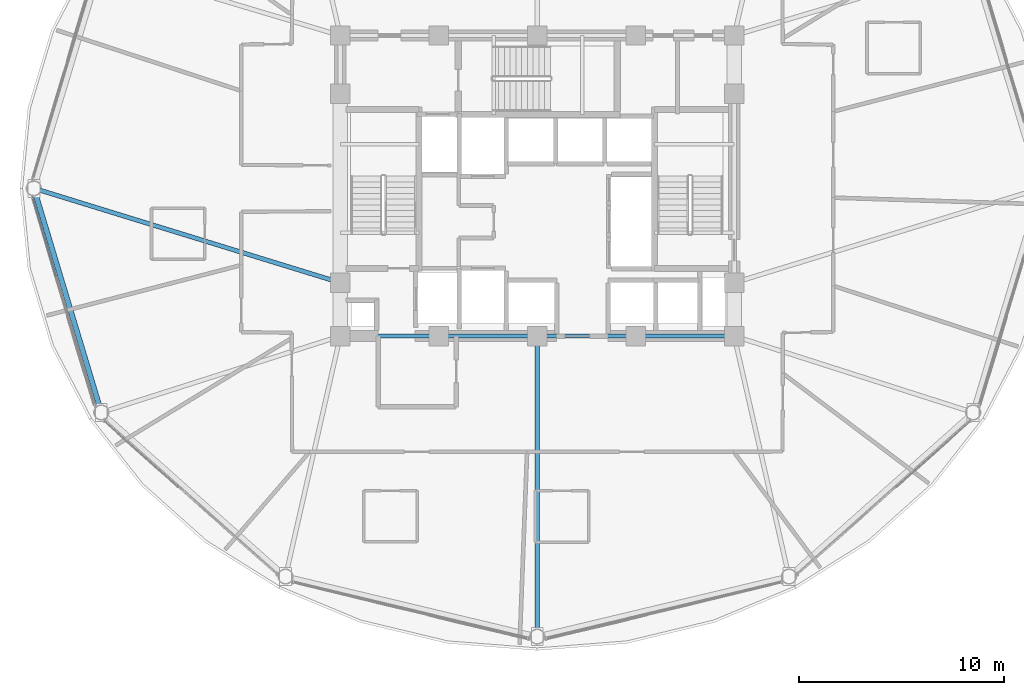
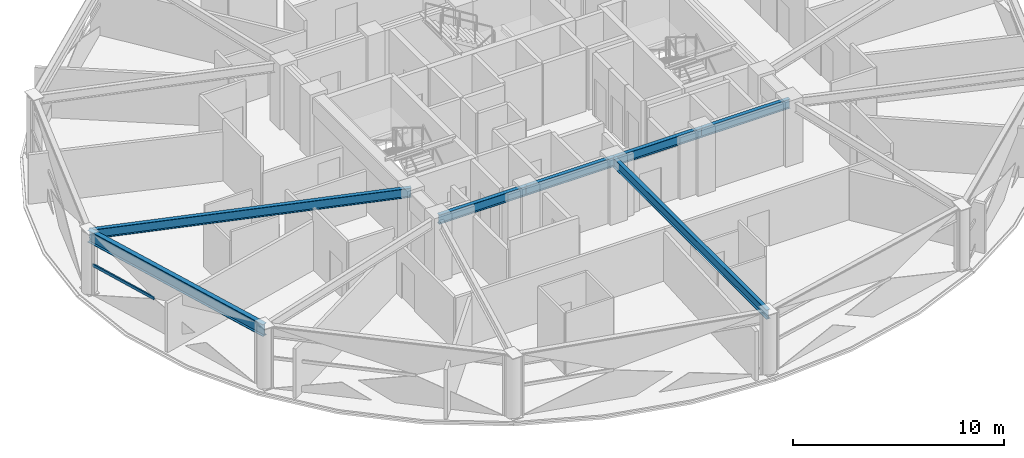
# One storey, part 6 of 29: 7 beams, 1 member, 1 element without a shape of its own.
"""IFC4 building model written with IfcOpenShell, lengths in metres."""

import ifcopenshell
import ifcopenshell.guid

model = None  # the IFC model being written
_history = None  # IfcOwnerHistory: only IFC2X3 demands one
_inside = {}  # id of a spatial element -> (the spatial element, [elements in it])
_under = {}  # id of a project, library or spatial element -> (it, [spatial elements below it])
_declared = {}  # id of a project -> (the project, [libraries it declares])
_typed = {}  # id of a type object -> (the type object, [elements of that type])
_made_of = {}  # id of a material, layer set ... -> (it, [elements and type objects made of it])


def new_model(schema):
    """Start an empty IFC model of exactly this schema.

    Asked for "IFC4X3", IfcOpenShell would pick the latest addendum, in which some entities
    have other attributes; the version numbers below select the first issue.
    IFC2X3 requires an IfcOwnerHistory on every rooted entity: one is made here for all.
    """
    global model, _history
    if schema == "IFC4X3":
        model = ifcopenshell.file(schema_version=(4, 3, 0, 0))
    else:
        model = ifcopenshell.file(schema=schema)
    _inside.clear()
    _under.clear()
    _declared.clear()
    _typed.clear()
    _made_of.clear()
    _history = None
    if model.schema == "IFC2X3":
        org = make("IfcOrganization", Name="unknown")
        user = make(
            "IfcPersonAndOrganization",
            ThePerson=make("IfcPerson", FamilyName="unknown"),
            TheOrganization=org,
        )
        app = make(
            "IfcApplication",
            ApplicationDeveloper=org,
            Version="unknown",
            ApplicationFullName="unknown",
            ApplicationIdentifier="unknown",
        )
        _history = make(
            "IfcOwnerHistory",
            OwningUser=user,
            OwningApplication=app,
            ChangeAction="ADDED",
            CreationDate=0,
        )
    return model


def make(cls, **values):
    """One entity of the class cls with the attributes given. An attribute that is None is left unset."""
    return model.create_entity(
        cls, **{name: value for name, value in values.items() if value is not None}
    )


def rooted(cls, **values):
    """An entity with a GlobalId (a new one), such as an element, a storey or a relation."""
    return make(cls, GlobalId=ifcopenshell.guid.new(), OwnerHistory=_history, **values)


def si_unit(unit_type, name, prefix=None):
    """IfcSIUnit, for example si_unit("LENGTHUNIT", "METRE", prefix="MILLI")."""
    return make("IfcSIUnit", UnitType=unit_type, Prefix=prefix, Name=name)


def assignment(units):
    """IfcUnitAssignment: the units of a project."""
    return None if units is None else make("IfcUnitAssignment", Units=units)


def point(xyz):
    """IfcCartesianPoint."""
    return None if xyz is None else make("IfcCartesianPoint", Coordinates=xyz)


def direction(xyz):
    """IfcDirection."""
    return None if xyz is None else make("IfcDirection", DirectionRatios=xyz)


def frame(location, z_axis=None, x_axis=None):
    """IfcAxis2Placement3D, a coordinate frame: its origin and axes. An axis left out is left unset."""
    return make(
        "IfcAxis2Placement3D",
        Location=point(location),
        Axis=direction(z_axis),
        RefDirection=direction(x_axis),
    )


def frame_2d(location, x_axis=None):
    """IfcAxis2Placement2D, a coordinate frame in the plane: its origin and x axis."""
    return make(
        "IfcAxis2Placement2D", Location=point(location), RefDirection=direction(x_axis)
    )


def origin():
    """The frame at (0, 0, 0) with its axes left unset."""
    return frame((0.0, 0.0, 0.0))


def origin_2d():
    """The frame at (0, 0) in the plane with its x axis left unset."""
    return frame_2d((0.0, 0.0))


def place(relative_to, where):
    """IfcLocalPlacement: puts the frame where relative to a parent placement (None: the world)."""
    return make(
        "IfcLocalPlacement", PlacementRelTo=relative_to, RelativePlacement=where
    )


def context(
    kind, dimensions, precision=None, world=None, true_north=None, identifier=None
):
    """IfcGeometricRepresentationContext, for example the 3D "Model" context."""
    return make(
        "IfcGeometricRepresentationContext",
        ContextIdentifier=identifier,
        ContextType=kind,
        CoordinateSpaceDimension=dimensions,
        Precision=precision,
        WorldCoordinateSystem=world,
        TrueNorth=true_north,
    )


def subcontext(parent, identifier, kind, view, scale=None):
    """IfcGeometricRepresentationSubContext, for example "Body" below "Model"."""
    return make(
        "IfcGeometricRepresentationSubContext",
        ContextIdentifier=identifier,
        ContextType=kind,
        ParentContext=parent,
        TargetScale=scale,
        TargetView=view,
    )


def project(units=None, contexts=None):
    """IfcProject with its units and contexts."""
    return rooted(
        "IfcProject",
        Name="project",
        RepresentationContexts=contexts,
        UnitsInContext=assignment(units),
    )


def spatial(cls, under=None, at=None, **own):
    """A site, building, storey or space (cls), placed at a placement, below another one or the project."""
    s = rooted(cls, ObjectPlacement=at, **own)
    if under is not None:
        _under.setdefault(under.id(), (under, []))[1].append(s)
    return s


def profile(cls, at=None, kind="AREA", **sizes):
    """A parametric profile (cls). Its sizes go by their IFC names, for example OverallWidth=200.0."""
    return make(cls, ProfileType=kind, Position=at, **sizes)


def hollow_rectangle(**sizes):
    """IfcRectangleHollowProfileDef."""
    return profile("IfcRectangleHollowProfileDef", **sizes)


def i_section(**sizes):
    """IfcIShapeProfileDef."""
    return profile("IfcIShapeProfileDef", **sizes)


def extrude(swept, where, along, depth):
    """IfcExtrudedAreaSolid: the profile swept, set in the frame where, extruded along a direction by depth."""
    return make(
        "IfcExtrudedAreaSolid",
        SweptArea=swept,
        Position=where,
        ExtrudedDirection=direction(along),
        Depth=depth,
    )


def shape(context_of_items, identifier, shape_type, items):
    """IfcShapeRepresentation: the items that make up one representation, for example the "Body"."""
    return make(
        "IfcShapeRepresentation",
        ContextOfItems=context_of_items,
        RepresentationIdentifier=identifier,
        RepresentationType=shape_type,
        Items=items,
    )


def material(Name=None, Category=None):
    """IfcMaterial."""
    return make("IfcMaterial", Name=Name, Category=Category)


def layer(
    of_material, thickness, ventilated=None, Name=None, Category=None, Priority=None
):
    """IfcMaterialLayer: one layer of a wall or slab, of a material (None: an air gap)."""
    return make(
        "IfcMaterialLayer",
        Material=of_material,
        LayerThickness=thickness,
        IsVentilated=ventilated,
        Name=Name,
        Category=Category,
        Priority=Priority,
    )


def layer_set(layers, Name=None):
    """IfcMaterialLayerSet."""
    return make("IfcMaterialLayerSet", MaterialLayers=layers, LayerSetName=Name)


def material_profile(
    of_material, cross_section, Name=None, Category=None, Priority=None
):
    """IfcMaterialProfile: a cross section and its material."""
    return make(
        "IfcMaterialProfile",
        Name=Name,
        Material=of_material,
        Profile=cross_section,
        Priority=Priority,
        Category=Category,
    )


def profile_set(profiles, Name=None, composite=None):
    """IfcMaterialProfileSet."""
    return make(
        "IfcMaterialProfileSet",
        Name=Name,
        MaterialProfiles=profiles,
        CompositeProfile=composite,
    )


def made_of(thing, what):
    """Note that an element or type object is made of a material, layer set ...; save() writes the relation."""
    if what is not None:
        _made_of.setdefault(what.id(), (what, []))[1].append(thing)
    return thing


def type_object(cls, material=None, **own):
    """A type object (cls), such as IfcWallType, which elements share."""
    return made_of(rooted(cls, **own), material)


def element(
    cls,
    number,
    at=None,
    inside=None,
    cuts=None,
    type_object=None,
    material=None,
    context=None,
    identifier="Body",
    shape_type=None,
    held_by="IfcProductDefinitionShape",
    body=None,
    shapes=None,
    **own,
):
    """One element of the class cls, such as IfcWall. Its Tag is "e" and its number.

    at: its placement. inside: the storey or other place that contains it. cuts: it is an
    opening in that element (IfcRelVoidsElement). A single representation is given by context,
    identifier, shape_type and body (its items); several are given by shapes. held_by: the class
    of the entity that holds the representations. save() writes the other relations.
    """
    e = rooted(cls, Tag="e%d" % number, ObjectPlacement=at, **own)
    if body is not None:
        shapes = [shape(context, identifier, shape_type, body)]
    if shapes is not None:
        e.Representation = make(held_by, Representations=shapes)
    if inside is not None:
        _inside.setdefault(inside.id(), (inside, []))[1].append(e)
    if cuts is not None:
        rooted(
            "IfcRelVoidsElement", RelatingBuildingElement=cuts, RelatedOpeningElement=e
        )
    if type_object is not None:
        _typed.setdefault(type_object.id(), (type_object, []))[1].append(e)
    return made_of(e, material)


def aggregate(whole, parts):
    """IfcRelAggregates: a whole, such as a stair, and the parts it consists of."""
    return rooted("IfcRelAggregates", RelatingObject=whole, RelatedObjects=parts)


def save(model, path):
    """Write the relations noted so far, then the file.

    IfcRelAggregates (storeys below a building ...), IfcRelContainedInSpatialStructure (elements
    in a storey), IfcRelDefinesByType, IfcRelAssociatesMaterial and IfcRelDeclares: one each for
    every whole, place, type object, material and project.
    """
    for whole, parts in _under.values():
        aggregate(whole, parts)
    for where, things in _inside.values():
        rooted(
            "IfcRelContainedInSpatialStructure",
            RelatedElements=things,
            RelatingStructure=where,
        )
    for kind, things in _typed.values():
        rooted("IfcRelDefinesByType", RelatedObjects=things, RelatingType=kind)
    for what, things in _made_of.values():
        rooted("IfcRelAssociatesMaterial", RelatedObjects=things, RelatingMaterial=what)
    for by, libraries in _declared.values():
        rooted("IfcRelDeclares", RelatingContext=by, RelatedDefinitions=libraries)
    model.write(path)


model = new_model("IFC4")

# Units and contexts
model_context = context("Model", 3, precision=1e-05, world=origin(), true_north=direction((0.0, 1.0)))
body_context = subcontext(model_context, "Body", "Model", "MODEL_VIEW")
ifc_project = project(units=[si_unit("LENGTHUNIT", "METRE"), si_unit("AREAUNIT", "SQUARE_METRE"), si_unit("VOLUMEUNIT", "CUBIC_METRE"), si_unit("PLANEANGLEUNIT", "RADIAN"), si_unit("MASSUNIT", "GRAM", prefix="KILO")], contexts=[model_context])

# Site, building, storey
site_placement = place(None, origin())
site = spatial("IfcSite", under=ifc_project, at=site_placement, CompositionType="ELEMENT")
building_placement = place(site_placement, origin())
building = spatial("IfcBuilding", under=site, at=building_placement, Name="Vantalir Tower", CompositionType="ELEMENT")
storey_placement = place(building_placement, frame((0.0, 0.0, 168.449951171875)))
storey = spatial("IfcBuildingStorey", under=building, at=storey_placement, Name="L42", CompositionType="ELEMENT", Elevation=168.449951171875)

# Beams
ifc_material_1 = material(Name="Steel S355", Category="steel")
ifc_material_profile_1 = material_profile(ifc_material_1, i_section(OverallWidth=0.2109375, OverallDepth=0.5390625, WebThickness=0.01171875, FlangeThickness=0.018798828125, at=origin_2d()), Name="Steel S355")
ifc_profile_set_1 = profile_set([ifc_material_profile_1], Name="Steel S355")
beam_type_1 = type_object("IfcBeamType", Name="BM-RB-533x210", PredefinedType="BEAM", material=ifc_profile_set_1)
for number, where, z_axis, x_axis, name in (
    (1, (21.89990234375, 17.800048828125, 3.301025390625), (1.0, 0.0, 0.0), (0.0, 1.0, 0.0), "L42 Core Coupling Girder 01"),
    (2, (26.699951171875, 17.800048828125, 3.301025390625), (1.0, 0.0, 0.0), (0.0, 1.0, 0.0), "L42 Core Coupling Girder 02"),
    (3, (31.5, 17.800048828125, 3.301025390625), (1.0, 0.0, 0.0), (0.0, 1.0, 0.0), "L42 Core Coupling Girder 03"),
    (4, (36.300048828125, 17.800048828125, 3.301025390625), (1.0, 0.0, 0.0), (0.0, 1.0, 0.0), "L42 Core Coupling Girder 04"),
):
    element("IfcBeam", number, at=place(storey_placement, frame(where, z_axis=z_axis, x_axis=x_axis)), inside=storey, type_object=beam_type_1, Name=name, PredefinedType="BEAM", context=body_context, shape_type="SweptSolid", body=[
        extrude(i_section(OverallWidth=0.2109375, OverallDepth=0.5390625, WebThickness=0.01171875, FlangeThickness=0.018798828125, at=origin_2d()), origin(), (0.0, 0.0, 1.0), 4.800048828125),
    ])
beam_1_placement = place(storey_placement, frame((6.964111328125, 25.0, 3.301025390625), z_axis=(0.955698583761, -0.294347102918, 0.0), x_axis=(0.294347102918, 0.955698583761, 0.0)))
element("IfcBeam", 5, at=beam_1_placement, inside=storey, type_object=beam_type_1, Name="L42 Radial Floor Beam 07", PredefinedType="BEAM", context=body_context, shape_type="SweptSolid", body=[
    extrude(i_section(OverallWidth=0.2109375, OverallDepth=0.5390625, WebThickness=0.01171875, FlangeThickness=0.018798828125, at=origin_2d()), origin(), (0.0, 0.0, 1.0), 15.628173828125),
])
beam_2_placement = place(storey_placement, frame((31.5, 3.152099609375, 3.301025390625), z_axis=(0.0, 1.0, 0.0), x_axis=(-1.0, 0.0, 0.0)))
element("IfcBeam", 6, at=beam_2_placement, inside=storey, type_object=beam_type_1, Name="L42 Radial Floor Beam 10", PredefinedType="BEAM", context=body_context, shape_type="SweptSolid", body=[
    extrude(i_section(OverallWidth=0.2109375, OverallDepth=0.5390625, WebThickness=0.01171875, FlangeThickness=0.018798828125, at=origin_2d()), origin(), (0.0, 0.0, 1.0), 14.64794921875),
])
ifc_material_2 = material(Name="Steel S460", Category="steel")
ifc_material_profile_2 = material_profile(ifc_material_2, i_section(OverallWidth=0.256103515625, OverallDepth=0.693115234375, WebThickness=0.014404296875, FlangeThickness=0.023681640625, at=origin_2d()), Name="Steel S460")
ifc_profile_set_2 = profile_set([ifc_material_profile_2], Name="Steel S460")
beam_type_2 = type_object("IfcBeamType", Name="BM-RG-686x254", PredefinedType="USERDEFINED", material=ifc_profile_set_2)
beam_3_placement = place(storey_placement, frame((6.964111328125, 25.0, 3.22412109375), z_axis=(0.288123336704, -0.957593307645, 0.0), x_axis=(0.957593307645, 0.288123336704, 0.0)))
element("IfcBeam", 7, at=beam_3_placement, inside=storey, type_object=beam_type_2, Name="L42 Circumferential Ring Girder 07", ObjectType="GIRDER", PredefinedType="USERDEFINED", context=body_context, shape_type="SweptSolid", body=[
    extrude(i_section(OverallWidth=0.256103515625, OverallDepth=0.693115234375, WebThickness=0.014404296875, FlangeThickness=0.023681640625, at=origin_2d()), origin(), (0.0, 0.0, 1.0), 11.407958984375),
])

# Curtain wall, member
ifc_material_3 = material(Name="Champagne-silver PVDF aluminium and double-silver Low-E glass", Category="aluminium")
ifc_layer = layer(ifc_material_3, 0.199951171875)
ifc_layer_set = layer_set([ifc_layer], Name="Champagne-silver PVDF aluminium and double-silver Low-E glass")
curtain_wall_type = type_object("IfcCurtainWallType", Name="CW-DIAMOND-Z2", PredefinedType="USERDEFINED", material=ifc_layer_set)
curtain_wall_placement = place(storey_placement, origin())
curtain_wall = element("IfcCurtainWall", 8, at=curtain_wall_placement, inside=storey, type_object=curtain_wall_type, Name="L42 Quilted Pyramid-Diamond Curtain Wall S07", ObjectType="UNITISED CURTAIN WALL", PredefinedType="USERDEFINED")
ifc_material_4 = material(Name="Champagne-silver PVDF aluminium 6063-T6", Category="aluminium")
ifc_material_profile_3 = material_profile(ifc_material_4, hollow_rectangle(XDim=0.074951171875, YDim=0.159912109375, WallThickness=0.00390625, at=origin_2d()), Name="Champagne-silver PVDF aluminium 6063-T6")
ifc_profile_set_3 = profile_set([ifc_material_profile_3], Name="Champagne-silver PVDF aluminium 6063-T6")
member_type = type_object("IfcMemberType", Name="CWT-160x75", PredefinedType="USERDEFINED", material=ifc_profile_set_3)
member_placement = place(storey_placement, frame((6.90087890625, 24.5791015625, 1.78515625), z_axis=(0.28223836976, -0.9593443087, 0.0), x_axis=(0.9593443087, 0.28223836976, 0.0)))
member = element("IfcMember", 9, at=member_placement, type_object=member_type, Name="CW-L42-S07 Pyramid Fold Ridge Transom", ObjectType="TRANSOM", PredefinedType="USERDEFINED", context=body_context, shape_type="SweptSolid", body=[
    extrude(hollow_rectangle(XDim=0.074951171875, YDim=0.159912109375, WallThickness=0.00390625, at=origin_2d()), origin(), (0.0, 0.0, 1.0), 4.0361328125),
])
aggregate(curtain_wall, [member])

save(model, "model.ifc")
